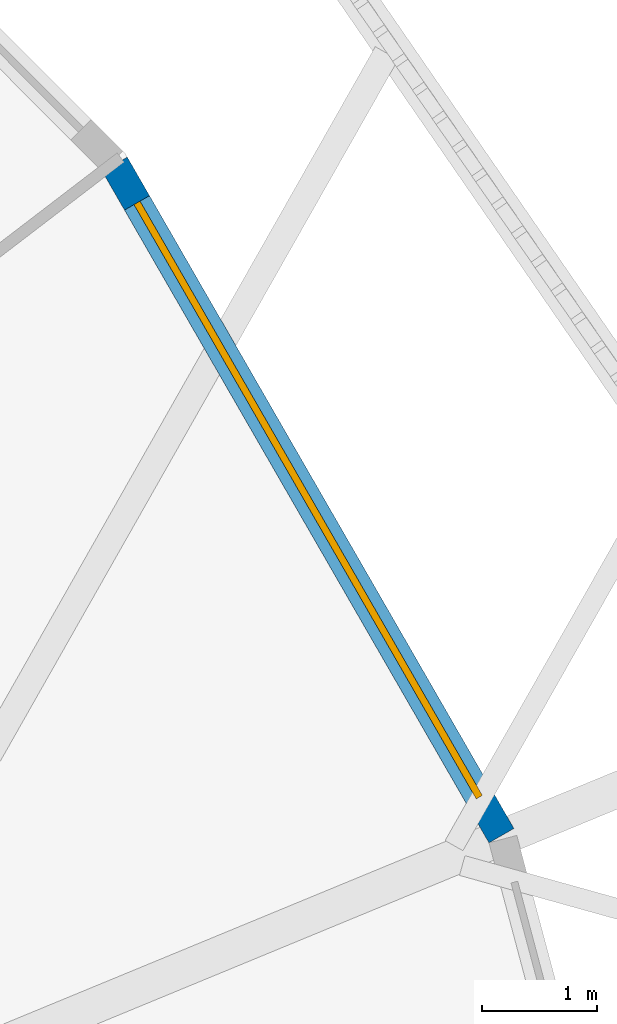
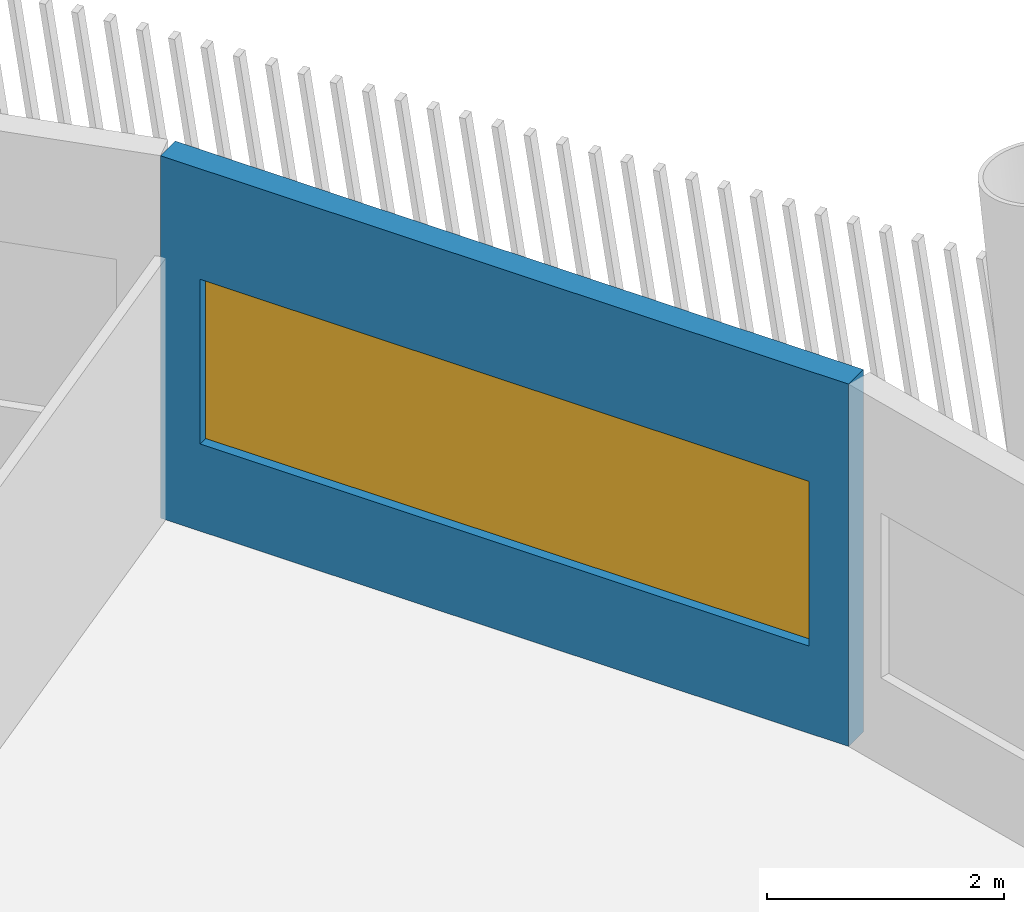
# One storey, part 7 of 15: 1 wall, 1 window, 1 opening.
"""IFC4 building model written with IfcOpenShell, lengths in metres."""

from ifc_helpers import new_model, si_unit, direction, frame, frame_2d, origin, place, context, subcontext, project, spatial, rectangle, extrude, material, layer, layer_set, type_object, element, fill, save


model = new_model("IFC4")

# Units and contexts
model_context = context("Model", 3, precision=1e-05, world=origin(), true_north=direction((0.0, 1.0)))
body_context = subcontext(model_context, "Body", "Model", "MODEL_VIEW")
ifc_project = project(units=[si_unit("LENGTHUNIT", "METRE"), si_unit("AREAUNIT", "SQUARE_METRE"), si_unit("VOLUMEUNIT", "CUBIC_METRE"), si_unit("PLANEANGLEUNIT", "RADIAN"), si_unit("MASSUNIT", "GRAM", prefix="KILO")], contexts=[model_context])

# Site, building, storey
site_placement = place(None, origin())
site = spatial("IfcSite", under=ifc_project, at=site_placement, CompositionType="ELEMENT")
building_placement = place(site_placement, origin())
building = spatial("IfcBuilding", under=site, at=building_placement, Name="Tarsis Ring Headquarters", CompositionType="ELEMENT")
storey_placement = place(building_placement, frame((0.0, 0.0, 159.300048828125)))
storey = spatial("IfcBuildingStorey", under=building, at=storey_placement, Name="L36", CompositionType="ELEMENT", Elevation=159.300048828125)

# Wall, opening, window
ifc_material_1 = material(Name="Terracotta clad insulated panel wall", Category="masonry")
ifc_layer = layer(ifc_material_1, 0.25)
ifc_layer_set = layer_set([ifc_layer], Name="Facade wall terracotta panel 250")
wall_type = type_object("IfcWallType", Name="Facade wall terracotta panel 250", PredefinedType="STANDARD", material=ifc_layer_set)
wall_placement = place(storey_placement, frame((23.906494140625, 9.890625, 0.0), z_axis=(0.0, 0.0, 1.0), x_axis=(-0.499089259287, 0.866550582058, 0.0)))
wall = element("IfcWall", 1, at=wall_placement, inside=storey, type_object=wall_type, Name="External wall L36-24", PredefinedType="STANDARD", context=body_context, shape_type="SweptSolid", body=[
    extrude(rectangle(XDim=6.7216796875, YDim=0.25, at=frame_2d((3.36083984375, 0.0))), origin(), (0.0, 0.0, 1.0), 3.739990234375),
])
opening_placement = place(wall_placement, frame((0.3857421875, 0.0, 0.89990234375)))
opening = element("IfcOpeningElement", 2, at=opening_placement, cuts=wall, Name="Opening WN07", PredefinedType="OPENING", context=body_context, shape_type="SweptSolid", body=[
    extrude(rectangle(XDim=5.949951171875, YDim=1.699951171875, at=frame_2d((2.97509765625, 0.85009765625))), frame((0.0, 0.135009765625, 0.0), z_axis=(0.0, -1.0, 0.0), x_axis=(1.0, 0.0, 0.0)), (0.0, 0.0, 1.0), 0.27001953125),
])
ifc_material_2 = material(Name="Aluminium framed double glazing", Category="aluminium")
window_type = type_object("IfcWindowType", Name="Facade window 5950 x 1700", PartitioningType="SINGLE_PANEL", PredefinedType="WINDOW", material=ifc_material_2)
window_placement = place(opening_placement, origin())
window = element("IfcWindow", 3, at=window_placement, inside=storey, type_object=window_type, Name="Window L36-24.1", OverallHeight=1.699951171875, OverallWidth=5.949951171875, PartitioningType="SINGLE_PANEL", PredefinedType="WINDOW", context=body_context, shape_type="SweptSolid", body=[
    extrude(rectangle(XDim=5.949951171875, YDim=1.699951171875, at=frame_2d((2.97509765625, 0.85009765625))), frame((0.0, 0.030029296875, 0.0), z_axis=(0.0, -1.0, 0.0), x_axis=(1.0, 0.0, 0.0)), (0.0, 0.0, 1.0), 0.06005859375),
])
fill(opening, window)

save(model, "model.ifc")
